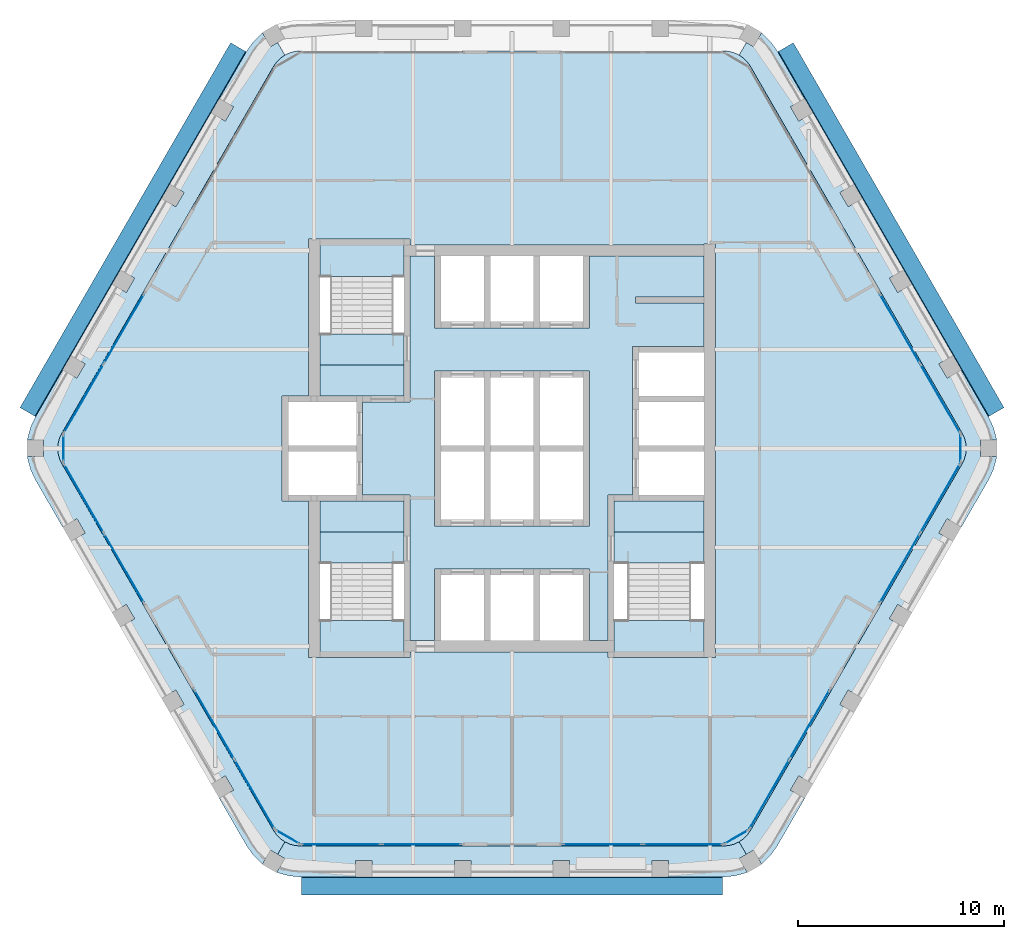
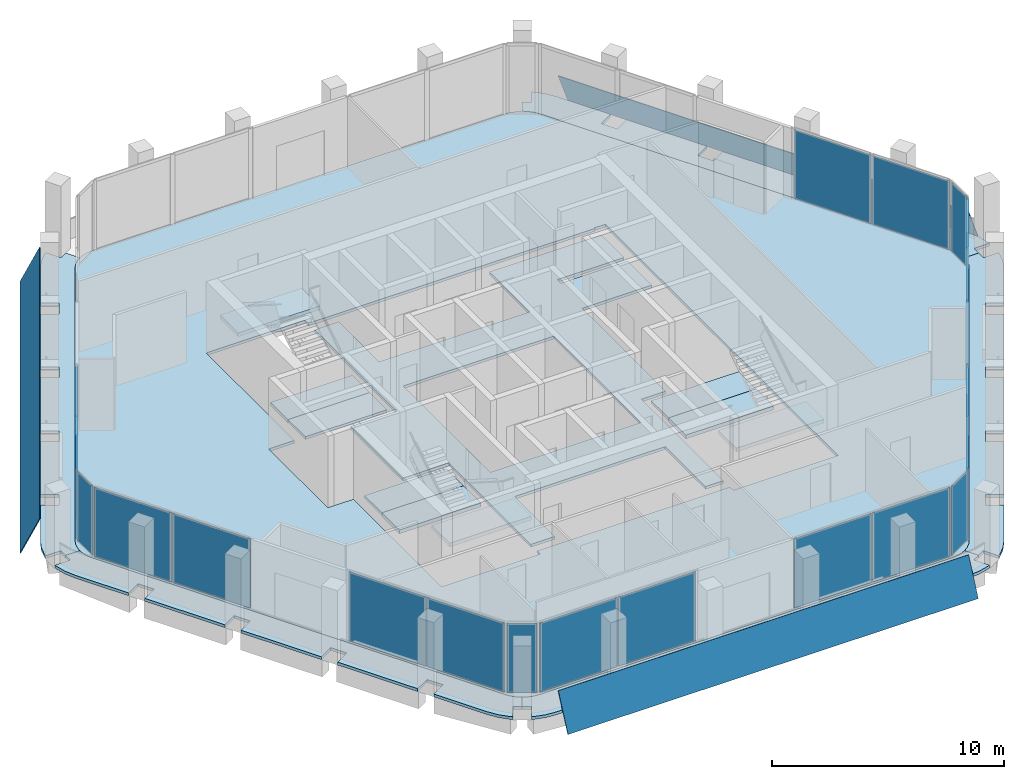
# One storey, part 6 of 13: 23 plates, 16 slabs, 15 elements without a shape of their own.
"""IFC4 building model written with IfcOpenShell, lengths in metres."""

import ifcopenshell
import ifcopenshell.guid

model = None  # the IFC model being written
_history = None  # IfcOwnerHistory: only IFC2X3 demands one
_inside = {}  # id of a spatial element -> (the spatial element, [elements in it])
_under = {}  # id of a project, library or spatial element -> (it, [spatial elements below it])
_declared = {}  # id of a project -> (the project, [libraries it declares])
_typed = {}  # id of a type object -> (the type object, [elements of that type])
_made_of = {}  # id of a material, layer set ... -> (it, [elements and type objects made of it])


def new_model(schema):
    """Start an empty IFC model of exactly this schema.

    Asked for "IFC4X3", IfcOpenShell would pick the latest addendum, in which some entities
    have other attributes; the version numbers below select the first issue.
    IFC2X3 requires an IfcOwnerHistory on every rooted entity: one is made here for all.
    """
    global model, _history
    if schema == "IFC4X3":
        model = ifcopenshell.file(schema_version=(4, 3, 0, 0))
    else:
        model = ifcopenshell.file(schema=schema)
    _inside.clear()
    _under.clear()
    _declared.clear()
    _typed.clear()
    _made_of.clear()
    _history = None
    if model.schema == "IFC2X3":
        org = make("IfcOrganization", Name="unknown")
        user = make(
            "IfcPersonAndOrganization",
            ThePerson=make("IfcPerson", FamilyName="unknown"),
            TheOrganization=org,
        )
        app = make(
            "IfcApplication",
            ApplicationDeveloper=org,
            Version="unknown",
            ApplicationFullName="unknown",
            ApplicationIdentifier="unknown",
        )
        _history = make(
            "IfcOwnerHistory",
            OwningUser=user,
            OwningApplication=app,
            ChangeAction="ADDED",
            CreationDate=0,
        )
    return model


def make(cls, **values):
    """One entity of the class cls with the attributes given. An attribute that is None is left unset."""
    return model.create_entity(
        cls, **{name: value for name, value in values.items() if value is not None}
    )


def rooted(cls, **values):
    """An entity with a GlobalId (a new one), such as an element, a storey or a relation."""
    return make(cls, GlobalId=ifcopenshell.guid.new(), OwnerHistory=_history, **values)


def si_unit(unit_type, name, prefix=None):
    """IfcSIUnit, for example si_unit("LENGTHUNIT", "METRE", prefix="MILLI")."""
    return make("IfcSIUnit", UnitType=unit_type, Prefix=prefix, Name=name)


def assignment(units):
    """IfcUnitAssignment: the units of a project."""
    return None if units is None else make("IfcUnitAssignment", Units=units)


def point(xyz):
    """IfcCartesianPoint."""
    return None if xyz is None else make("IfcCartesianPoint", Coordinates=xyz)


def direction(xyz):
    """IfcDirection."""
    return None if xyz is None else make("IfcDirection", DirectionRatios=xyz)


def frame(location, z_axis=None, x_axis=None):
    """IfcAxis2Placement3D, a coordinate frame: its origin and axes. An axis left out is left unset."""
    return make(
        "IfcAxis2Placement3D",
        Location=point(location),
        Axis=direction(z_axis),
        RefDirection=direction(x_axis),
    )


def frame_2d(location, x_axis=None):
    """IfcAxis2Placement2D, a coordinate frame in the plane: its origin and x axis."""
    return make(
        "IfcAxis2Placement2D", Location=point(location), RefDirection=direction(x_axis)
    )


def origin():
    """The frame at (0, 0, 0) with its axes left unset."""
    return frame((0.0, 0.0, 0.0))


def origin_2d():
    """The frame at (0, 0) in the plane with its x axis left unset."""
    return frame_2d((0.0, 0.0))


def place(relative_to, where):
    """IfcLocalPlacement: puts the frame where relative to a parent placement (None: the world)."""
    return make(
        "IfcLocalPlacement", PlacementRelTo=relative_to, RelativePlacement=where
    )


def context(
    kind, dimensions, precision=None, world=None, true_north=None, identifier=None
):
    """IfcGeometricRepresentationContext, for example the 3D "Model" context."""
    return make(
        "IfcGeometricRepresentationContext",
        ContextIdentifier=identifier,
        ContextType=kind,
        CoordinateSpaceDimension=dimensions,
        Precision=precision,
        WorldCoordinateSystem=world,
        TrueNorth=true_north,
    )


def subcontext(parent, identifier, kind, view, scale=None):
    """IfcGeometricRepresentationSubContext, for example "Body" below "Model"."""
    return make(
        "IfcGeometricRepresentationSubContext",
        ContextIdentifier=identifier,
        ContextType=kind,
        ParentContext=parent,
        TargetScale=scale,
        TargetView=view,
    )


def project(units=None, contexts=None):
    """IfcProject with its units and contexts."""
    return rooted(
        "IfcProject",
        Name="project",
        RepresentationContexts=contexts,
        UnitsInContext=assignment(units),
    )


def spatial(cls, under=None, at=None, **own):
    """A site, building, storey or space (cls), placed at a placement, below another one or the project."""
    s = rooted(cls, ObjectPlacement=at, **own)
    if under is not None:
        _under.setdefault(under.id(), (under, []))[1].append(s)
    return s


def polyline(points):
    """IfcPolyline through the points."""
    return make("IfcPolyline", Points=[point(p) for p in points])


def profile(cls, at=None, kind="AREA", **sizes):
    """A parametric profile (cls). Its sizes go by their IFC names, for example OverallWidth=200.0."""
    return make(cls, ProfileType=kind, Position=at, **sizes)


def rectangle(**sizes):
    """IfcRectangleProfileDef."""
    return profile("IfcRectangleProfileDef", **sizes)


def outline(outer, holes=None, kind="AREA"):
    """IfcArbitraryClosedProfileDef: a profile drawn as a closed curve; with holes, ...WithVoids."""
    if holes is None:
        return make("IfcArbitraryClosedProfileDef", ProfileType=kind, OuterCurve=outer)
    return make(
        "IfcArbitraryProfileDefWithVoids",
        ProfileType=kind,
        OuterCurve=outer,
        InnerCurves=holes,
    )


def extrude(swept, where, along, depth):
    """IfcExtrudedAreaSolid: the profile swept, set in the frame where, extruded along a direction by depth."""
    return make(
        "IfcExtrudedAreaSolid",
        SweptArea=swept,
        Position=where,
        ExtrudedDirection=direction(along),
        Depth=depth,
    )


def shape(context_of_items, identifier, shape_type, items):
    """IfcShapeRepresentation: the items that make up one representation, for example the "Body"."""
    return make(
        "IfcShapeRepresentation",
        ContextOfItems=context_of_items,
        RepresentationIdentifier=identifier,
        RepresentationType=shape_type,
        Items=items,
    )


def material(Name=None, Category=None):
    """IfcMaterial."""
    return make("IfcMaterial", Name=Name, Category=Category)


def layer(
    of_material, thickness, ventilated=None, Name=None, Category=None, Priority=None
):
    """IfcMaterialLayer: one layer of a wall or slab, of a material (None: an air gap)."""
    return make(
        "IfcMaterialLayer",
        Material=of_material,
        LayerThickness=thickness,
        IsVentilated=ventilated,
        Name=Name,
        Category=Category,
        Priority=Priority,
    )


def layer_set(layers, Name=None):
    """IfcMaterialLayerSet."""
    return make("IfcMaterialLayerSet", MaterialLayers=layers, LayerSetName=Name)


def made_of(thing, what):
    """Note that an element or type object is made of a material, layer set ...; save() writes the relation."""
    if what is not None:
        _made_of.setdefault(what.id(), (what, []))[1].append(thing)
    return thing


def type_object(cls, material=None, **own):
    """A type object (cls), such as IfcWallType, which elements share."""
    return made_of(rooted(cls, **own), material)


def element(
    cls,
    number,
    at=None,
    inside=None,
    cuts=None,
    type_object=None,
    material=None,
    context=None,
    identifier="Body",
    shape_type=None,
    held_by="IfcProductDefinitionShape",
    body=None,
    shapes=None,
    **own,
):
    """One element of the class cls, such as IfcWall. Its Tag is "e" and its number.

    at: its placement. inside: the storey or other place that contains it. cuts: it is an
    opening in that element (IfcRelVoidsElement). A single representation is given by context,
    identifier, shape_type and body (its items); several are given by shapes. held_by: the class
    of the entity that holds the representations. save() writes the other relations.
    """
    e = rooted(cls, Tag="e%d" % number, ObjectPlacement=at, **own)
    if body is not None:
        shapes = [shape(context, identifier, shape_type, body)]
    if shapes is not None:
        e.Representation = make(held_by, Representations=shapes)
    if inside is not None:
        _inside.setdefault(inside.id(), (inside, []))[1].append(e)
    if cuts is not None:
        rooted(
            "IfcRelVoidsElement", RelatingBuildingElement=cuts, RelatedOpeningElement=e
        )
    if type_object is not None:
        _typed.setdefault(type_object.id(), (type_object, []))[1].append(e)
    return made_of(e, material)


def aggregate(whole, parts):
    """IfcRelAggregates: a whole, such as a stair, and the parts it consists of."""
    return rooted("IfcRelAggregates", RelatingObject=whole, RelatedObjects=parts)


def save(model, path):
    """Write the relations noted so far, then the file.

    IfcRelAggregates (storeys below a building ...), IfcRelContainedInSpatialStructure (elements
    in a storey), IfcRelDefinesByType, IfcRelAssociatesMaterial and IfcRelDeclares: one each for
    every whole, place, type object, material and project.
    """
    for whole, parts in _under.values():
        aggregate(whole, parts)
    for where, things in _inside.values():
        rooted(
            "IfcRelContainedInSpatialStructure",
            RelatedElements=things,
            RelatingStructure=where,
        )
    for kind, things in _typed.values():
        rooted("IfcRelDefinesByType", RelatedObjects=things, RelatingType=kind)
    for what, things in _made_of.values():
        rooted("IfcRelAssociatesMaterial", RelatedObjects=things, RelatingMaterial=what)
    for by, libraries in _declared.values():
        rooted("IfcRelDeclares", RelatingContext=by, RelatedDefinitions=libraries)
    model.write(path)


model = new_model("IFC4")

# Units and contexts
model_context = context("Model", 3, precision=1e-05, world=origin(), true_north=direction((0.0, 1.0)))
body_context = subcontext(model_context, "Body", "Model", "MODEL_VIEW")
ifc_project = project(units=[si_unit("LENGTHUNIT", "METRE"), si_unit("AREAUNIT", "SQUARE_METRE"), si_unit("VOLUMEUNIT", "CUBIC_METRE"), si_unit("PLANEANGLEUNIT", "RADIAN"), si_unit("MASSUNIT", "GRAM", prefix="KILO")], contexts=[model_context])

# Site, building, storey
site_placement = place(None, origin())
site = spatial("IfcSite", under=ifc_project, at=site_placement, CompositionType="ELEMENT")
building_placement = place(site_placement, origin())
building = spatial("IfcBuilding", under=site, at=building_placement, Name="Kolab Exchange Tower", CompositionType="ELEMENT")
storey_placement = place(building_placement, frame((0.0, 0.0, 273.5)))
storey = spatial("IfcBuildingStorey", under=building, at=storey_placement, Name="L61", CompositionType="ELEMENT", Elevation=273.5)

# Slabs
ifc_material_1 = material(Name="Concrete C35/45", Category="concrete")
ifc_layer_1 = layer(ifc_material_1, 0.14990234375)
ifc_layer_set_1 = layer_set([ifc_layer_1], Name="Concrete C35/45")
slab_type_1 = type_object("IfcSlabType", Name="FLOOR SLAB 150", PredefinedType="FLOOR", material=ifc_layer_set_1)
slab_1_placement = place(storey_placement, frame((0.0, 0.0, -0.14990234375)))
element("IfcSlab", 1, at=slab_1_placement, inside=storey, type_object=slab_type_1, Name="slab/L61/floor/0", PredefinedType="FLOOR", context=body_context, shape_type="SweptSolid", body=[
    extrude(outline(polyline([(11.56689453125, -18.53466796875), (21.8349609375, -0.75), (21.945556640625, -0.512939453125), (22.01318359375, -0.260498046875), (22.035888671875, 0.0), (22.01318359375, 0.260498046875), (21.945556640625, 0.512939453125), (21.8349609375, 0.75), (11.56689453125, 18.53466796875), (11.4169921875, 18.748779296875), (11.232177734375, 18.93359375), (11.01806640625, 19.083740234375), (10.781005859375, 19.194091796875), (10.5283203125, 19.26171875), (10.26806640625, 19.28466796875), (-10.26806640625, 19.28466796875), (-10.5283203125, 19.26171875), (-10.781005859375, 19.194091796875), (-11.01806640625, 19.083740234375), (-11.232177734375, 18.93359375), (-11.4169921875, 18.748779296875), (-11.56689453125, 18.53466796875), (-21.8349609375, 0.75), (-21.945556640625, 0.512939453125), (-22.01318359375, 0.260498046875), (-22.035888671875, 0.0), (-22.01318359375, -0.260498046875), (-21.945556640625, -0.512939453125), (-21.8349609375, -0.75), (-11.56689453125, -18.53466796875), (-11.4169921875, -18.748779296875), (-11.232177734375, -18.93359375), (-11.01806640625, -19.083740234375), (-10.781005859375, -19.194091796875), (-10.5283203125, -19.26171875), (-10.26806640625, -19.28466796875), (10.26806640625, -19.28466796875), (10.5283203125, -19.26171875), (10.781005859375, -19.194091796875), (11.01806640625, -19.083740234375), (11.232177734375, -18.93359375), (11.4169921875, -18.748779296875), (11.56689453125, -18.53466796875)]), holes=[polyline([(-9.324951171875, -10.14990234375), (-9.875, -10.14990234375), (-9.875, -2.550048828125), (-10.85009765625, -2.550048828125), (-11.14990234375, -2.550048828125), (-11.14990234375, 2.550048828125), (-10.85009765625, 2.550048828125), (-9.875, 2.550048828125), (-9.875, 10.14990234375), (-9.324951171875, 10.14990234375), (-5.25, 10.14990234375), (-4.949951171875, 10.14990234375), (-4.949951171875, 9.875), (9.324951171875, 9.875), (9.324951171875, 9.925048828125), (9.875, 9.925048828125), (9.875, -10.14990234375), (9.324951171875, -10.14990234375), (4.949951171875, -10.14990234375), (4.64990234375, -10.14990234375), (4.64990234375, -9.875), (-4.949951171875, -9.875), (-4.949951171875, -10.14990234375), (-5.25, -10.14990234375), (-9.324951171875, -10.14990234375)])]), origin(), (0.0, 0.0, 1.0), 0.14990234375),
])
slab_2_placement = place(storey_placement, frame((0.0, 0.0, -0.14990234375)))
element("IfcSlab", 2, at=slab_2_placement, inside=storey, type_object=slab_type_1, Name="slab/L61/floor/1", PredefinedType="FLOOR", context=body_context, shape_type="SweptSolid", body=[
    extrude(outline(polyline([(-4.949951171875, 9.324951171875), (-4.949951171875, 2.25), (-5.25, 2.25), (-7.25, 2.25), (-7.25, -2.25), (-5.25, -2.25), (-4.949951171875, -2.25), (-4.949951171875, -9.324951171875), (-3.75, -9.324951171875), (-3.75, -5.85009765625), (-3.449951171875, -5.85009765625), (-1.35009765625, -5.85009765625), (-1.050048828125, -5.85009765625), (1.050048828125, -5.85009765625), (1.35009765625, -5.85009765625), (3.449951171875, -5.85009765625), (3.75, -5.85009765625), (3.75, -9.324951171875), (4.64990234375, -9.324951171875), (4.64990234375, -2.25), (4.949951171875, -2.25), (5.85009765625, -2.25), (5.85009765625, 4.949951171875), (6.14990234375, 4.949951171875), (9.324951171875, 4.949951171875), (9.324951171875, 7.050048828125), (6.0, 7.050048828125), (6.0, 7.35009765625), (9.324951171875, 7.35009765625), (9.324951171875, 9.324951171875), (3.75, 9.324951171875), (3.75, 5.85009765625), (3.449951171875, 5.85009765625), (1.35009765625, 5.85009765625), (1.050048828125, 5.85009765625), (-1.050048828125, 5.85009765625), (-1.35009765625, 5.85009765625), (-3.449951171875, 5.85009765625), (-3.75, 5.85009765625), (-3.75, 9.324951171875), (-4.949951171875, 9.324951171875)]), holes=[polyline([(-3.449951171875, -3.75), (-3.75, -3.75), (-3.75, 3.75), (-3.449951171875, 3.75), (-1.35009765625, 3.75), (-1.050048828125, 3.75), (1.050048828125, 3.75), (1.35009765625, 3.75), (3.449951171875, 3.75), (3.75, 3.75), (3.75, -3.75), (3.449951171875, -3.75), (1.35009765625, -3.75), (1.050048828125, -3.75), (-1.050048828125, -3.75), (-1.35009765625, -3.75), (-3.449951171875, -3.75)])]), origin(), (0.0, 0.0, 1.0), 0.14990234375),
])
slab_3_placement = place(storey_placement, frame((0.0, 0.0, -0.14990234375)))
element("IfcSlab", 3, at=slab_3_placement, inside=storey, type_object=slab_type_1, Name="slab/L61/floor/2", PredefinedType="FLOOR", context=body_context, shape_type="SweptSolid", body=[
    extrude(outline(polyline([(4.949951171875, -2.550048828125), (4.949951171875, -4.050048828125), (9.324951171875, -4.050048828125), (9.324951171875, -2.550048828125), (6.14990234375, -2.550048828125), (5.85009765625, -2.550048828125), (4.949951171875, -2.550048828125)])), origin(), (0.0, 0.0, 1.0), 0.14990234375),
])
slab_4_placement = place(storey_placement, frame((0.0, 0.0, -0.14990234375)))
element("IfcSlab", 4, at=slab_4_placement, inside=storey, type_object=slab_type_1, Name="slab/L61/floor/3", PredefinedType="FLOOR", context=body_context, shape_type="SweptSolid", body=[
    extrude(outline(polyline([(-7.550048828125, -2.550048828125), (-9.324951171875, -2.550048828125), (-9.324951171875, -4.050048828125), (-5.25, -4.050048828125), (-5.25, -2.550048828125), (-7.25, -2.550048828125), (-7.550048828125, -2.550048828125)])), origin(), (0.0, 0.0, 1.0), 0.14990234375),
])
slab_5_placement = place(storey_placement, frame((0.0, 0.0, -0.14990234375)))
element("IfcSlab", 5, at=slab_5_placement, inside=storey, type_object=slab_type_1, Name="slab/L61/floor/4", PredefinedType="FLOOR", context=body_context, shape_type="SweptSolid", body=[
    extrude(outline(polyline([(-9.324951171875, 4.050048828125), (-9.324951171875, 2.550048828125), (-7.550048828125, 2.550048828125), (-7.25, 2.550048828125), (-5.25, 2.550048828125), (-5.25, 4.050048828125), (-9.324951171875, 4.050048828125)])), origin(), (0.0, 0.0, 1.0), 0.14990234375),
])
ifc_layer_2 = layer(ifc_material_1, 0.14990234375)
ifc_layer_set_2 = layer_set([ifc_layer_2], Name="Concrete C35/45")
slab_type_2 = type_object("IfcSlabType", Name="LOGGIA SLAB 150", PredefinedType="FLOOR", material=ifc_layer_set_2)
slab_6_placement = place(storey_placement, frame((0.0, 0.0, -0.14990234375)))
element("IfcSlab", 6, at=slab_6_placement, inside=storey, type_object=slab_type_2, Name="slab/L61/loggia/1-0", PredefinedType="FLOOR", context=body_context, shape_type="SweptSolid", body=[
    extrude(outline(polyline([(22.035888671875, 0.0), (22.73583984375, 0.0), (22.73583984375, 0.39990234375), (23.5009765625, 0.39990234375), (23.490234375, 0.52099609375), (23.35498046875, 1.026123046875), (23.134033203125, 1.5), (21.800048828125, 3.810546875), (21.107177734375, 3.410400390625), (20.707275390625, 4.103271484375), (21.39990234375, 4.50341796875), (19.39990234375, 7.967529296875), (18.707275390625, 7.5673828125), (18.30712890625, 8.26025390625), (19.0, 8.66015625), (17.0, 12.124267578125), (16.30712890625, 11.724365234375), (15.9072265625, 12.417236328125), (16.60009765625, 12.817138671875), (14.60009765625, 16.28125), (13.9072265625, 15.88134765625), (13.507080078125, 16.57421875), (14.199951171875, 16.97412109375), (12.865966796875, 19.28466796875), (12.566162109375, 19.712890625), (12.1962890625, 20.082763671875), (12.096923828125, 20.15234375), (11.71435546875, 19.48974609375), (11.367919921875, 19.68994140625), (11.01806640625, 19.083740234375), (11.232177734375, 18.93359375), (11.4169921875, 18.748779296875), (11.56689453125, 18.53466796875), (21.8349609375, 0.75), (21.945556640625, 0.512939453125), (22.01318359375, 0.260498046875), (22.035888671875, 0.0)])), origin(), (0.0, 0.0, 1.0), 0.14990234375),
])
slab_7_placement = place(storey_placement, frame((0.0, 0.0, -0.14990234375)))
element("IfcSlab", 7, at=slab_7_placement, inside=storey, type_object=slab_type_2, Name="slab/L61/loggia/2-0", PredefinedType="FLOOR", context=body_context, shape_type="SweptSolid", body=[
    extrude(outline(polyline([(12.865966796875, -19.28466796875), (14.199951171875, -16.97412109375), (13.507080078125, -16.57421875), (13.9072265625, -15.88134765625), (14.60009765625, -16.28125), (16.60009765625, -12.817138671875), (15.9072265625, -12.417236328125), (16.30712890625, -11.724365234375), (17.0, -12.124267578125), (19.0, -8.66015625), (18.30712890625, -8.26025390625), (18.707275390625, -7.5673828125), (19.39990234375, -7.967529296875), (21.39990234375, -4.50341796875), (20.707275390625, -4.103271484375), (21.107177734375, -3.410400390625), (21.800048828125, -3.810546875), (23.134033203125, -1.5), (23.35498046875, -1.026123046875), (23.490234375, -0.52099609375), (23.5009765625, -0.39990234375), (22.73583984375, -0.39990234375), (22.73583984375, 0.0), (22.035888671875, 0.0), (22.01318359375, -0.260498046875), (21.945556640625, -0.512939453125), (21.8349609375, -0.75), (11.56689453125, -18.53466796875), (11.4169921875, -18.748779296875), (11.232177734375, -18.93359375), (11.01806640625, -19.083740234375), (11.367919921875, -19.68994140625), (11.71435546875, -19.48974609375), (12.096923828125, -20.15234375), (12.1962890625, -20.082763671875), (12.566162109375, -19.712890625), (12.865966796875, -19.28466796875)])), origin(), (0.0, 0.0, 1.0), 0.14990234375),
])
slab_8_placement = place(storey_placement, frame((0.0, 0.0, -0.14990234375)))
element("IfcSlab", 8, at=slab_8_placement, inside=storey, type_object=slab_type_2, Name="slab/L61/loggia/3-0", PredefinedType="FLOOR", context=body_context, shape_type="SweptSolid", body=[
    extrude(outline(polyline([(-11.01806640625, -19.083740234375), (-11.367919921875, -19.68994140625), (-11.021484375, -19.889892578125), (-11.404052734375, -20.552490234375), (-11.2939453125, -20.603759765625), (-10.788818359375, -20.739013671875), (-10.26806640625, -20.78466796875), (-7.60009765625, -20.78466796875), (-7.60009765625, -19.984619140625), (-6.800048828125, -19.984619140625), (-6.800048828125, -20.78466796875), (-2.800048828125, -20.78466796875), (-2.800048828125, -19.984619140625), (-2.0, -19.984619140625), (-2.0, -20.78466796875), (2.0, -20.78466796875), (2.0, -19.984619140625), (2.800048828125, -19.984619140625), (2.800048828125, -20.78466796875), (6.800048828125, -20.78466796875), (6.800048828125, -19.984619140625), (7.60009765625, -19.984619140625), (7.60009765625, -20.78466796875), (10.26806640625, -20.78466796875), (10.788818359375, -20.739013671875), (11.2939453125, -20.603759765625), (11.404052734375, -20.552490234375), (11.021484375, -19.889892578125), (11.367919921875, -19.68994140625), (11.01806640625, -19.083740234375), (10.781005859375, -19.194091796875), (10.5283203125, -19.26171875), (10.26806640625, -19.28466796875), (-10.26806640625, -19.28466796875), (-10.5283203125, -19.26171875), (-10.781005859375, -19.194091796875), (-11.01806640625, -19.083740234375)])), origin(), (0.0, 0.0, 1.0), 0.14990234375),
])
slab_9_placement = place(storey_placement, frame((0.0, 0.0, -0.14990234375)))
element("IfcSlab", 9, at=slab_9_placement, inside=storey, type_object=slab_type_2, Name="slab/L61/loggia/4-0", PredefinedType="FLOOR", context=body_context, shape_type="SweptSolid", body=[
    extrude(outline(polyline([(-22.035888671875, 0.0), (-22.73583984375, 0.0), (-22.73583984375, -0.39990234375), (-23.5009765625, -0.39990234375), (-23.490234375, -0.52099609375), (-23.35498046875, -1.026123046875), (-23.134033203125, -1.5), (-21.800048828125, -3.810546875), (-21.107177734375, -3.410400390625), (-20.707275390625, -4.103271484375), (-21.39990234375, -4.50341796875), (-19.39990234375, -7.967529296875), (-18.707275390625, -7.5673828125), (-18.30712890625, -8.26025390625), (-19.0, -8.66015625), (-17.0, -12.124267578125), (-16.30712890625, -11.724365234375), (-15.9072265625, -12.417236328125), (-16.60009765625, -12.817138671875), (-14.60009765625, -16.28125), (-13.9072265625, -15.88134765625), (-13.507080078125, -16.57421875), (-14.199951171875, -16.97412109375), (-12.865966796875, -19.28466796875), (-12.566162109375, -19.712890625), (-12.1962890625, -20.082763671875), (-12.096923828125, -20.15234375), (-11.71435546875, -19.48974609375), (-11.367919921875, -19.68994140625), (-11.01806640625, -19.083740234375), (-11.232177734375, -18.93359375), (-11.4169921875, -18.748779296875), (-11.56689453125, -18.53466796875), (-21.8349609375, -0.75), (-21.945556640625, -0.512939453125), (-22.01318359375, -0.260498046875), (-22.035888671875, 0.0)])), origin(), (0.0, 0.0, 1.0), 0.14990234375),
])
slab_10_placement = place(storey_placement, frame((0.0, 0.0, -0.14990234375)))
element("IfcSlab", 10, at=slab_10_placement, inside=storey, type_object=slab_type_2, Name="slab/L61/loggia/5-0", PredefinedType="FLOOR", context=body_context, shape_type="SweptSolid", body=[
    extrude(outline(polyline([(-11.01806640625, 19.083740234375), (-11.367919921875, 19.68994140625), (-11.71435546875, 19.48974609375), (-12.096923828125, 20.15234375), (-12.1962890625, 20.082763671875), (-12.566162109375, 19.712890625), (-12.865966796875, 19.28466796875), (-14.199951171875, 16.97412109375), (-13.507080078125, 16.57421875), (-13.9072265625, 15.88134765625), (-14.60009765625, 16.28125), (-16.60009765625, 12.817138671875), (-15.9072265625, 12.417236328125), (-16.30712890625, 11.724365234375), (-17.0, 12.124267578125), (-19.0, 8.66015625), (-18.30712890625, 8.26025390625), (-18.707275390625, 7.5673828125), (-19.39990234375, 7.967529296875), (-21.39990234375, 4.50341796875), (-20.707275390625, 4.103271484375), (-21.107177734375, 3.410400390625), (-21.800048828125, 3.810546875), (-23.134033203125, 1.5), (-23.35498046875, 1.026123046875), (-23.490234375, 0.52099609375), (-23.5009765625, 0.39990234375), (-22.73583984375, 0.39990234375), (-22.73583984375, 0.0), (-22.035888671875, 0.0), (-22.01318359375, 0.260498046875), (-21.945556640625, 0.512939453125), (-21.8349609375, 0.75), (-11.56689453125, 18.53466796875), (-11.4169921875, 18.748779296875), (-11.232177734375, 18.93359375), (-11.01806640625, 19.083740234375)])), origin(), (0.0, 0.0, 1.0), 0.14990234375),
])

# Plates
ifc_material_2 = material(Name="Laminated glass, clear", Category="glass")
ifc_layer_3 = layer(ifc_material_2, 0.0400390625)
ifc_layer_set_3 = layer_set([ifc_layer_3], Name="Laminated glass, clear")
plate_type_1 = type_object("IfcPlateType", Name="OUTER SKIN LAMINATED GLASS SHEET 40", PredefinedType="SHEET", material=ifc_layer_set_3)
plate_1_placement = place(storey_placement, frame((13.6494140625, 19.67919921875, -0.68310546875), z_axis=(0.784886322863, 0.453152182031, 0.422618693508), x_axis=(0.499997422494, -0.866026891901, 1.981408e-06)))
element("IfcPlate", 11, at=plate_1_placement, inside=storey, type_object=plate_type_1, Name="Outer skin", PredefinedType="SHEET", context=body_context, shape_type="SweptSolid", body=[
    extrude(outline(polyline([(0.0, 0.0), (20.435802623779963, 0.0), (20.435856947346753, -1.9860898935068516), (-6.774611643567295e-05, -1.9861792489881693), (0.0, 0.0)])), origin(), (0.0, 0.0, -1.0), 0.0400390625),
])
plate_2_placement = place(storey_placement, frame((10.218017578125, -21.66015625, -0.68310546875), z_axis=(0.0, -0.906311853188, 0.422609541742), x_axis=(-1.0, 0.0, 0.0)))
element("IfcPlate", 12, at=plate_2_placement, inside=storey, type_object=plate_type_1, Name="Outer skin", PredefinedType="SHEET", context=body_context, shape_type="SweptSolid", body=[
    extrude(outline(polyline([(0.0, 0.0), (20.43603515625, 0.0), (20.43603515625, -1.9861252192534886), (0.0, -1.9861252192534886), (0.0, 0.0)])), origin(), (0.0, 0.0, -1.0), 0.0400390625),
])
plate_3_placement = place(storey_placement, frame((-23.8671875, 1.981201171875, -0.68310546875), z_axis=(-0.784886322863, 0.453152182031, 0.422618693508), x_axis=(0.499997422494, 0.866026891901, -1.981408e-06)))
element("IfcPlate", 13, at=plate_3_placement, inside=storey, type_object=plate_type_1, Name="Outer skin", PredefinedType="SHEET", context=body_context, shape_type="SweptSolid", body=[
    extrude(outline(polyline([(0.0, 0.0), (20.435802623779963, 0.0), (20.435870369896403, -1.9861792489881698), (-5.4323566790471804e-05, -1.9860898935068518), (0.0, 0.0)])), origin(), (0.0, 0.0, -1.0), 0.0400390625),
])

# Stair, slabs
ifc_material_3 = material(Name="Concrete C50/60", Category="concrete")
stair_type_1 = type_object("IfcStairType", Name="STAIR ST1 RISER 177.3", PredefinedType="HALF_TURN_STAIR", material=ifc_material_3)
stair_1_placement = place(storey_placement, origin())
stair_1 = element("IfcStair", 14, at=stair_1_placement, inside=storey, type_object=stair_type_1, Name="Stair 1", PredefinedType="HALF_TURN_STAIR")
ifc_layer_4 = layer(ifc_material_3, 0.199951171875)
ifc_layer_set_4 = layer_set([ifc_layer_4], Name="Concrete C50/60")
slab_type_3 = type_object("IfcSlabType", Name="STAIR LANDING 200", PredefinedType="LANDING", material=ifc_layer_set_4)
slab_11_placement = place(storey_placement, frame((0.0, 0.0, -0.199951171875)))
slab_11 = element("IfcSlab", 15, at=slab_11_placement, type_object=slab_type_3, Name="ST1 landing 1", PredefinedType="LANDING", context=body_context, shape_type="SweptSolid", body=[
    extrude(outline(polyline([(-9.324951171875, 4.050048828125), (-5.25, 4.050048828125), (-5.25, 5.550048828125), (-9.324951171875, 5.550048828125), (-9.324951171875, 4.050048828125)])), origin(), (0.0, 0.0, 1.0), 0.199951171875),
])
slab_12_placement = place(storey_placement, frame((0.0, 0.0, 1.75)))
slab_12 = element("IfcSlab", 16, at=slab_12_placement, type_object=slab_type_3, Name="ST1 landing 2", PredefinedType="LANDING", context=body_context, shape_type="SweptSolid", body=[
    extrude(outline(polyline([(-9.324951171875, 8.35009765625), (-5.25, 8.35009765625), (-5.25, 9.909912109375), (-9.324951171875, 9.909912109375), (-9.324951171875, 8.35009765625)])), origin(), (0.0, 0.0, 1.0), 0.199951171875),
])
aggregate(stair_1, [slab_11, slab_12])

stair_type_2 = type_object("IfcStairType", Name="STAIR ST3 RISER 177.3", PredefinedType="HALF_TURN_STAIR", material=ifc_material_3)
stair_2_placement = place(storey_placement, origin())
stair_2 = element("IfcStair", 17, at=stair_2_placement, inside=storey, type_object=stair_type_2, Name="Stair 3", PredefinedType="HALF_TURN_STAIR")
slab_13_placement = place(storey_placement, frame((0.0, 0.0, -0.199951171875)))
slab_13 = element("IfcSlab", 18, at=slab_13_placement, type_object=slab_type_3, Name="ST3 landing 1", PredefinedType="LANDING", context=body_context, shape_type="SweptSolid", body=[
    extrude(outline(polyline([(-9.324951171875, -5.550048828125), (-5.25, -5.550048828125), (-5.25, -4.050048828125), (-9.324951171875, -4.050048828125), (-9.324951171875, -5.550048828125)])), origin(), (0.0, 0.0, 1.0), 0.199951171875),
])
slab_14_placement = place(storey_placement, frame((0.0, 0.0, 1.75)))
slab_14 = element("IfcSlab", 19, at=slab_14_placement, type_object=slab_type_3, Name="ST3 landing 2", PredefinedType="LANDING", context=body_context, shape_type="SweptSolid", body=[
    extrude(outline(polyline([(-9.324951171875, -9.909912109375), (-5.25, -9.909912109375), (-5.25, -8.35009765625), (-9.324951171875, -8.35009765625), (-9.324951171875, -9.909912109375)])), origin(), (0.0, 0.0, 1.0), 0.199951171875),
])
aggregate(stair_2, [slab_13, slab_14])

stair_type_3 = type_object("IfcStairType", Name="STAIR ST2 RISER 177.3", PredefinedType="HALF_TURN_STAIR", material=ifc_material_3)
stair_3_placement = place(storey_placement, origin())
stair_3 = element("IfcStair", 20, at=stair_3_placement, inside=storey, type_object=stair_type_3, Name="Stair 2", PredefinedType="HALF_TURN_STAIR")
slab_15_placement = place(storey_placement, frame((0.0, 0.0, -0.199951171875)))
slab_15 = element("IfcSlab", 21, at=slab_15_placement, type_object=slab_type_3, Name="ST2 landing 1", PredefinedType="LANDING", context=body_context, shape_type="SweptSolid", body=[
    extrude(outline(polyline([(4.949951171875, -5.550048828125), (9.324951171875, -5.550048828125), (9.324951171875, -4.050048828125), (4.949951171875, -4.050048828125), (4.949951171875, -5.550048828125)])), origin(), (0.0, 0.0, 1.0), 0.199951171875),
])
slab_16_placement = place(storey_placement, frame((0.0, 0.0, 1.75)))
slab_16 = element("IfcSlab", 22, at=slab_16_placement, type_object=slab_type_3, Name="ST2 landing 2", PredefinedType="LANDING", context=body_context, shape_type="SweptSolid", body=[
    extrude(outline(polyline([(4.949951171875, -9.909912109375), (9.324951171875, -9.909912109375), (9.324951171875, -8.35009765625), (4.949951171875, -8.35009765625), (4.949951171875, -9.909912109375)])), origin(), (0.0, 0.0, 1.0), 0.199951171875),
])
aggregate(stair_3, [slab_15, slab_16])

# Curtain wall, plates
ifc_material_4 = material(Name="Aluminium EN AW-6063 T6", Category="aluminium")
curtain_wall_type = type_object("IfcCurtainWallType", Name="UNITISED HIGH ZONE CURTAIN WALL", PredefinedType="NOTDEFINED", material=ifc_material_4)
curtain_wall_1_placement = place(storey_placement, origin())
curtain_wall_1 = element("IfcCurtainWall", 23, at=curtain_wall_1_placement, inside=storey, type_object=curtain_wall_type, Name="cw/L61/F2-2", PredefinedType="NOTDEFINED")
ifc_material_5 = material(Name="Clear insulated glazing unit", Category="glass")
ifc_layer_5 = layer(ifc_material_5, 0.030029296875)
ifc_layer_set_5 = layer_set([ifc_layer_5], Name="Clear insulated glazing unit")
plate_type_2 = type_object("IfcPlateType", Name="UNITISED HIGH ZONE GLASS PANEL 30", PredefinedType="CURTAIN_PANEL", material=ifc_layer_set_5)
plate_4_placement = place(storey_placement, frame((18.82275390625, 5.807373046875, 0.06005859375), z_axis=(0.0, 0.0, 1.0), x_axis=(0.499999936366, -0.866025440524, 0.0)))
plate_4 = element("IfcPlate", 24, at=plate_4_placement, type_object=plate_type_2, Name="CW4 panel 1.1", PredefinedType="CURTAIN_PANEL", context=body_context, shape_type="SweptSolid", body=[
    extrude(rectangle(XDim=3.843994140625, YDim=0.030029296875, at=origin_2d()), origin(), (0.0, 0.0, 1.0), 3.6298828125),
])
plate_5_placement = place(storey_placement, frame((20.774658203125, 2.426513671875, 0.06005859375), z_axis=(0.0, 0.0, 1.0), x_axis=(0.499999936366, -0.866025440524, 0.0)))
plate_5 = element("IfcPlate", 25, at=plate_5_placement, type_object=plate_type_2, Name="CW4 panel 2.1", PredefinedType="CURTAIN_PANEL", context=body_context, shape_type="SweptSolid", body=[
    extrude(rectangle(XDim=3.843994140625, YDim=0.030029296875, at=origin_2d()), origin(), (0.0, 0.0, 1.0), 3.6298828125),
])
aggregate(curtain_wall_1, [plate_4, plate_5])

curtain_wall_2_placement = place(storey_placement, origin())
curtain_wall_2 = element("IfcCurtainWall", 26, at=curtain_wall_2_placement, inside=storey, type_object=curtain_wall_type, Name="cw/L61/F3-1", PredefinedType="NOTDEFINED")
plate_6_placement = place(storey_placement, frame((20.774658203125, -2.426513671875, 0.06005859375), z_axis=(0.0, 0.0, 1.0), x_axis=(-0.499999936366, -0.866025440524, 0.0)))
plate_6 = element("IfcPlate", 27, at=plate_6_placement, type_object=plate_type_2, Name="CW4 panel 1.1", PredefinedType="CURTAIN_PANEL", context=body_context, shape_type="SweptSolid", body=[
    extrude(rectangle(XDim=3.843994140625, YDim=0.030029296875, at=origin_2d()), origin(), (0.0, 0.0, 1.0), 3.6298828125),
])
plate_7_placement = place(storey_placement, frame((18.82275390625, -5.807373046875, 0.06005859375), z_axis=(0.0, 0.0, 1.0), x_axis=(-0.499999936366, -0.866025440524, 0.0)))
plate_7 = element("IfcPlate", 28, at=plate_7_placement, type_object=plate_type_2, Name="CW4 panel 2.1", PredefinedType="CURTAIN_PANEL", context=body_context, shape_type="SweptSolid", body=[
    extrude(rectangle(XDim=3.843994140625, YDim=0.030029296875, at=origin_2d()), origin(), (0.0, 0.0, 1.0), 3.6298828125),
])
aggregate(curtain_wall_2, [plate_6, plate_7])

curtain_wall_3_placement = place(storey_placement, origin())
curtain_wall_3 = element("IfcCurtainWall", 29, at=curtain_wall_3_placement, inside=storey, type_object=curtain_wall_type, Name="cw/L61/F3-2", PredefinedType="NOTDEFINED")
plate_8_placement = place(storey_placement, frame((14.440673828125, -13.397216796875, 0.06005859375), z_axis=(0.0, 0.0, 1.0), x_axis=(-0.500000031681, -0.866025385493, 0.0)))
plate_8 = element("IfcPlate", 30, at=plate_8_placement, type_object=plate_type_2, Name="CW4 panel 1.1", PredefinedType="CURTAIN_PANEL", context=body_context, shape_type="SweptSolid", body=[
    extrude(rectangle(XDim=3.843994140625, YDim=0.030029296875, at=origin_2d()), origin(), (0.0, 0.0, 1.0), 3.6298828125),
])
plate_9_placement = place(storey_placement, frame((12.48876953125, -16.778076171875, 0.06005859375), z_axis=(0.0, 0.0, 1.0), x_axis=(-0.500000031681, -0.866025385493, 0.0)))
plate_9 = element("IfcPlate", 31, at=plate_9_placement, type_object=plate_type_2, Name="CW4 panel 2.1", PredefinedType="CURTAIN_PANEL", context=body_context, shape_type="SweptSolid", body=[
    extrude(rectangle(XDim=3.843994140625, YDim=0.030029296875, at=origin_2d()), origin(), (0.0, 0.0, 1.0), 3.6298828125),
])
aggregate(curtain_wall_3, [plate_8, plate_9])

curtain_wall_4_placement = place(storey_placement, origin())
curtain_wall_4 = element("IfcCurtainWall", 32, at=curtain_wall_4_placement, inside=storey, type_object=curtain_wall_type, Name="cw/L61/F4-1", PredefinedType="NOTDEFINED")
plate_10_placement = place(storey_placement, frame((8.285888671875, -19.20458984375, 0.06005859375), z_axis=(0.0, 0.0, 1.0), x_axis=(-1.0, 0.0, 0.0)))
plate_10 = element("IfcPlate", 33, at=plate_10_placement, type_object=plate_type_2, Name="CW4 panel 1.1", PredefinedType="CURTAIN_PANEL", context=body_context, shape_type="SweptSolid", body=[
    extrude(rectangle(XDim=3.843994140625, YDim=0.030029296875, at=origin_2d()), origin(), (0.0, 0.0, 1.0), 3.6298828125),
])
plate_11_placement = place(storey_placement, frame((4.382080078125, -19.20458984375, 0.06005859375), z_axis=(0.0, 0.0, 1.0), x_axis=(-1.0, 0.0, 0.0)))
plate_11 = element("IfcPlate", 34, at=plate_11_placement, type_object=plate_type_2, Name="CW4 panel 2.1", PredefinedType="CURTAIN_PANEL", context=body_context, shape_type="SweptSolid", body=[
    extrude(rectangle(XDim=3.843994140625, YDim=0.030029296875, at=origin_2d()), origin(), (0.0, 0.0, 1.0), 3.6298828125),
])
aggregate(curtain_wall_4, [plate_10, plate_11])

curtain_wall_5_placement = place(storey_placement, origin())
curtain_wall_5 = element("IfcCurtainWall", 35, at=curtain_wall_5_placement, inside=storey, type_object=curtain_wall_type, Name="cw/L61/F4-2", PredefinedType="NOTDEFINED")
plate_12_placement = place(storey_placement, frame((-4.382080078125, -19.20458984375, 0.06005859375), z_axis=(0.0, 0.0, 1.0), x_axis=(-1.0, 0.0, 0.0)))
plate_12 = element("IfcPlate", 36, at=plate_12_placement, type_object=plate_type_2, Name="CW4 panel 1.1", PredefinedType="CURTAIN_PANEL", context=body_context, shape_type="SweptSolid", body=[
    extrude(rectangle(XDim=3.843994140625, YDim=0.030029296875, at=origin_2d()), origin(), (0.0, 0.0, 1.0), 3.6298828125),
])
plate_13_placement = place(storey_placement, frame((-8.285888671875, -19.20458984375, 0.06005859375), z_axis=(0.0, 0.0, 1.0), x_axis=(-1.0, 0.0, 0.0)))
plate_13 = element("IfcPlate", 37, at=plate_13_placement, type_object=plate_type_2, Name="CW4 panel 2.1", PredefinedType="CURTAIN_PANEL", context=body_context, shape_type="SweptSolid", body=[
    extrude(rectangle(XDim=3.843994140625, YDim=0.030029296875, at=origin_2d()), origin(), (0.0, 0.0, 1.0), 3.6298828125),
])
aggregate(curtain_wall_5, [plate_12, plate_13])

curtain_wall_6_placement = place(storey_placement, origin())
curtain_wall_6 = element("IfcCurtainWall", 38, at=curtain_wall_6_placement, inside=storey, type_object=curtain_wall_type, Name="cw/L61/F5-1", PredefinedType="NOTDEFINED")
plate_14_placement = place(storey_placement, frame((-12.48876953125, -16.778076171875, 0.06005859375), z_axis=(0.0, 0.0, 1.0), x_axis=(-0.500000031681, 0.866025385493, 0.0)))
plate_14 = element("IfcPlate", 39, at=plate_14_placement, type_object=plate_type_2, Name="CW4 panel 1.1", PredefinedType="CURTAIN_PANEL", context=body_context, shape_type="SweptSolid", body=[
    extrude(rectangle(XDim=3.843994140625, YDim=0.030029296875, at=origin_2d()), origin(), (0.0, 0.0, 1.0), 3.6298828125),
])
plate_15_placement = place(storey_placement, frame((-14.440673828125, -13.397216796875, 0.06005859375), z_axis=(0.0, 0.0, 1.0), x_axis=(-0.500000031681, 0.866025385493, 0.0)))
plate_15 = element("IfcPlate", 40, at=plate_15_placement, type_object=plate_type_2, Name="CW4 panel 2.1", PredefinedType="CURTAIN_PANEL", context=body_context, shape_type="SweptSolid", body=[
    extrude(rectangle(XDim=3.843994140625, YDim=0.030029296875, at=origin_2d()), origin(), (0.0, 0.0, 1.0), 3.6298828125),
])
aggregate(curtain_wall_6, [plate_14, plate_15])

curtain_wall_7_placement = place(storey_placement, origin())
curtain_wall_7 = element("IfcCurtainWall", 41, at=curtain_wall_7_placement, inside=storey, type_object=curtain_wall_type, Name="cw/L61/F5-2", PredefinedType="NOTDEFINED")
plate_16_placement = place(storey_placement, frame((-18.82275390625, -5.807373046875, 0.06005859375), z_axis=(0.0, 0.0, 1.0), x_axis=(-0.499999936366, 0.866025440524, 0.0)))
plate_16 = element("IfcPlate", 42, at=plate_16_placement, type_object=plate_type_2, Name="CW4 panel 1.1", PredefinedType="CURTAIN_PANEL", context=body_context, shape_type="SweptSolid", body=[
    extrude(rectangle(XDim=3.843994140625, YDim=0.030029296875, at=origin_2d()), origin(), (0.0, 0.0, 1.0), 3.6298828125),
])
plate_17_placement = place(storey_placement, frame((-20.774658203125, -2.426513671875, 0.06005859375), z_axis=(0.0, 0.0, 1.0), x_axis=(-0.499999936366, 0.866025440524, 0.0)))
plate_17 = element("IfcPlate", 43, at=plate_17_placement, type_object=plate_type_2, Name="CW4 panel 2.1", PredefinedType="CURTAIN_PANEL", context=body_context, shape_type="SweptSolid", body=[
    extrude(rectangle(XDim=3.843994140625, YDim=0.030029296875, at=origin_2d()), origin(), (0.0, 0.0, 1.0), 3.6298828125),
])
aggregate(curtain_wall_7, [plate_16, plate_17])

curtain_wall_8_placement = place(storey_placement, origin())
curtain_wall_8 = element("IfcCurtainWall", 44, at=curtain_wall_8_placement, inside=storey, type_object=curtain_wall_type, Name="cw/L61/F6-1", PredefinedType="NOTDEFINED")
plate_18_placement = place(storey_placement, frame((-20.774658203125, 2.426513671875, 0.06005859375), z_axis=(0.0, 0.0, 1.0), x_axis=(0.499999936366, 0.866025440524, 0.0)))
plate_18 = element("IfcPlate", 45, at=plate_18_placement, type_object=plate_type_2, Name="CW4 panel 1.1", PredefinedType="CURTAIN_PANEL", context=body_context, shape_type="SweptSolid", body=[
    extrude(rectangle(XDim=3.843994140625, YDim=0.030029296875, at=origin_2d()), origin(), (0.0, 0.0, 1.0), 3.6298828125),
])
plate_19_placement = place(storey_placement, frame((-18.82275390625, 5.807373046875, 0.06005859375), z_axis=(0.0, 0.0, 1.0), x_axis=(0.499999936366, 0.866025440524, 0.0)))
plate_19 = element("IfcPlate", 46, at=plate_19_placement, type_object=plate_type_2, Name="CW4 panel 2.1", PredefinedType="CURTAIN_PANEL", context=body_context, shape_type="SweptSolid", body=[
    extrude(rectangle(XDim=3.843994140625, YDim=0.030029296875, at=origin_2d()), origin(), (0.0, 0.0, 1.0), 3.6298828125),
])
aggregate(curtain_wall_8, [plate_18, plate_19])

# Curtain wall, plate
curtain_wall_9_placement = place(storey_placement, origin())
curtain_wall_9 = element("IfcCurtainWall", 47, at=curtain_wall_9_placement, inside=storey, type_object=curtain_wall_type, Name="cw/L61/F2F3-corner", PredefinedType="NOTDEFINED")
plate_20_placement = place(storey_placement, frame((21.765625, 0.0, 0.06005859375), z_axis=(0.0, 0.0, 1.0), x_axis=(0.0, -1.0, 0.0)))
plate_20 = element("IfcPlate", 48, at=plate_20_placement, type_object=plate_type_2, Name="CW4 panel 1.1", PredefinedType="CURTAIN_PANEL", context=body_context, shape_type="SweptSolid", body=[
    extrude(rectangle(XDim=1.300048828125, YDim=0.030029296875, at=origin_2d()), origin(), (0.0, 0.0, 1.0), 3.6298828125),
])
aggregate(curtain_wall_9, [plate_20])

curtain_wall_10_placement = place(storey_placement, origin())
curtain_wall_10 = element("IfcCurtainWall", 49, at=curtain_wall_10_placement, inside=storey, type_object=curtain_wall_type, Name="cw/L61/F3F4-corner", PredefinedType="NOTDEFINED")
plate_21_placement = place(storey_placement, frame((10.8828125, -18.849609375, 0.06005859375), z_axis=(0.0, 0.0, 1.0), x_axis=(-0.866025390869, -0.50000002237, 0.0)))
plate_21 = element("IfcPlate", 50, at=plate_21_placement, type_object=plate_type_2, Name="CW4 panel 1.1", PredefinedType="CURTAIN_PANEL", context=body_context, shape_type="SweptSolid", body=[
    extrude(rectangle(XDim=1.300048828125, YDim=0.030029296875, at=origin_2d()), origin(), (0.0, 0.0, 1.0), 3.6298828125),
])
aggregate(curtain_wall_10, [plate_21])

curtain_wall_11_placement = place(storey_placement, origin())
curtain_wall_11 = element("IfcCurtainWall", 51, at=curtain_wall_11_placement, inside=storey, type_object=curtain_wall_type, Name="cw/L61/F4F5-corner", PredefinedType="NOTDEFINED")
plate_22_placement = place(storey_placement, frame((-10.8828125, -18.849609375, 0.06005859375), z_axis=(0.0, 0.0, 1.0), x_axis=(-0.866025390869, 0.50000002237, 0.0)))
plate_22 = element("IfcPlate", 52, at=plate_22_placement, type_object=plate_type_2, Name="CW4 panel 1.1", PredefinedType="CURTAIN_PANEL", context=body_context, shape_type="SweptSolid", body=[
    extrude(rectangle(XDim=1.300048828125, YDim=0.030029296875, at=origin_2d()), origin(), (0.0, 0.0, 1.0), 3.6298828125),
])
aggregate(curtain_wall_11, [plate_22])

curtain_wall_12_placement = place(storey_placement, origin())
curtain_wall_12 = element("IfcCurtainWall", 53, at=curtain_wall_12_placement, inside=storey, type_object=curtain_wall_type, Name="cw/L61/F5F6-corner", PredefinedType="NOTDEFINED")
plate_23_placement = place(storey_placement, frame((-21.765625, 0.0, 0.06005859375), z_axis=(0.0, 0.0, 1.0), x_axis=(0.0, 1.0, 0.0)))
plate_23 = element("IfcPlate", 54, at=plate_23_placement, type_object=plate_type_2, Name="CW4 panel 1.1", PredefinedType="CURTAIN_PANEL", context=body_context, shape_type="SweptSolid", body=[
    extrude(rectangle(XDim=1.300048828125, YDim=0.030029296875, at=origin_2d()), origin(), (0.0, 0.0, 1.0), 3.6298828125),
])
aggregate(curtain_wall_12, [plate_23])

save(model, "model.ifc")
